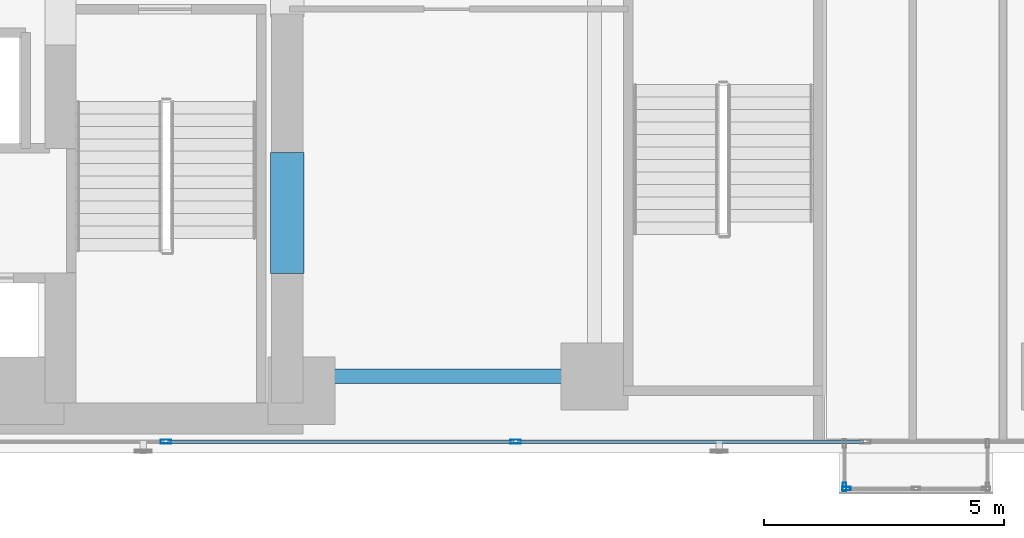
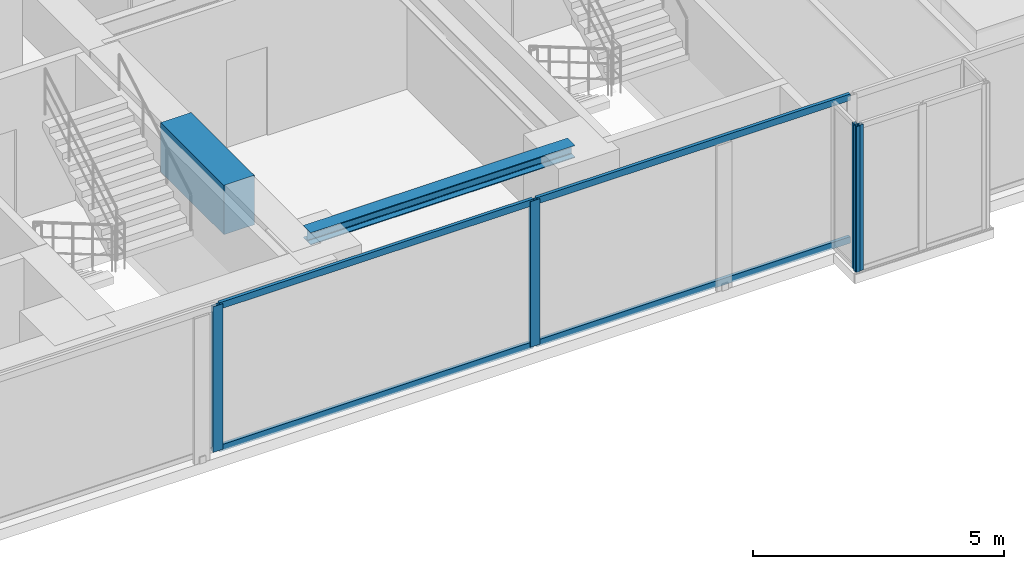
# One storey, part 4 of 26: 8 members, 2 beams, 3 elements without a shape of their own.
"""IFC4 building model written with IfcOpenShell, lengths in metres."""

from ifc_helpers import new_model, si_unit, direction, frame, origin, origin_with_axes, origin_2d, place, context, subcontext, project, spatial, rectangle, hollow_rectangle, i_section, extrude, source, transform, mapped, material, layer, layer_set, material_profile, profile_set, type_object, element, aggregate, save


model = new_model("IFC4")

# Units and contexts
model_context = context("Model", 3, precision=1e-05, world=origin(), true_north=direction((0.0, 1.0)))
body_context = subcontext(model_context, "Body", "Model", "MODEL_VIEW")
ifc_project = project(units=[si_unit("LENGTHUNIT", "METRE"), si_unit("AREAUNIT", "SQUARE_METRE"), si_unit("VOLUMEUNIT", "CUBIC_METRE"), si_unit("PLANEANGLEUNIT", "RADIAN"), si_unit("MASSUNIT", "GRAM", prefix="KILO")], contexts=[model_context])

# Site, building, storey
site_placement = place(None, origin())
site = spatial("IfcSite", under=ifc_project, at=site_placement, CompositionType="ELEMENT")
building_placement = place(site_placement, origin())
building = spatial("IfcBuilding", under=site, at=building_placement, Name="Kolvaren Waterfront Exchange", CompositionType="ELEMENT")
storey_placement = place(building_placement, frame((0.0, 0.0, 99.300048828125)))
storey = spatial("IfcBuildingStorey", under=building, at=storey_placement, Name="L25", CompositionType="ELEMENT", Elevation=99.300048828125)

# Beams
ifc_material_1 = material(Name="Steel S355", Category="steel")
ifc_material_profile_1 = material_profile(ifc_material_1, i_section(OverallWidth=0.300048828125, OverallDepth=0.300048828125, WebThickness=0.010986328125, FlangeThickness=0.01904296875, FilletRadius=0.027099609375, at=origin_2d()), Name="HEB300")
ifc_profile_set_1 = profile_set([ifc_material_profile_1], Name="Steel S355")
beam_type_1 = type_object("IfcBeamType", Name="STR-BM-HEB300", PredefinedType="SPANDREL", material=ifc_profile_set_1)
beam_1_placement = place(storey_placement, frame((21.125, 5.199951171875, 3.389892578125), z_axis=(1.0, 0.0, 0.0), x_axis=(0.0, 1.0, 0.0)))
element("IfcBeam", 1, at=beam_1_placement, inside=storey, type_object=beam_type_1, Name="L25 east-arm spandrel S1", PredefinedType="SPANDREL", context=body_context, shape_type="SweptSolid", body=[
    extrude(i_section(OverallWidth=0.300048828125, OverallDepth=0.300048828125, WebThickness=0.010986328125, FlangeThickness=0.01904296875, FilletRadius=0.027099609375, at=origin_2d()), origin(), (0.0, 0.0, 1.0), 6.074951171875),
])
ifc_material_2 = material(Name="Concrete C70/85", Category="concrete")
ifc_material_profile_2 = material_profile(ifc_material_2, rectangle(XDim=0.699951171875, YDim=1.199951171875, at=origin_2d()), Name="RC-CB-1200x700")
ifc_profile_set_2 = profile_set([ifc_material_profile_2], Name="Concrete C70/85")
beam_type_2 = type_object("IfcBeamType", Name="STR-CB-1200", PredefinedType="SPANDREL", material=ifc_profile_set_2)
beam_2_placement = place(storey_placement, frame((20.800048828125, 7.340087890625, 2.93994140625), z_axis=(0.0, 1.0, 0.0), x_axis=(-1.0, 0.0, 0.0)))
element("IfcBeam", 2, at=beam_2_placement, inside=storey, type_object=beam_type_2, Name="L25 core coupling beam 1", PredefinedType="SPANDREL", context=body_context, shape_type="SweptSolid", body=[
    extrude(rectangle(XDim=0.699951171875, YDim=1.199951171875, at=origin_2d()), origin(), (0.0, 0.0, 1.0), 2.52001953125),
])

# Curtain wall, member
ifc_material_3 = material(Name="Anodised bronze aluminium 6063-T6", Category="aluminium")
ifc_layer_1 = layer(ifc_material_3, 0.219970703125, Name="Anodised bronze aluminium 6063-T6")
ifc_layer_set_1 = layer_set([ifc_layer_1], Name="Anodised bronze aluminium 6063-T6")
curtain_wall_type_1 = type_object("IfcCurtainWallType", Name="ARC-CW-SYS3", PredefinedType="USERDEFINED", material=ifc_layer_set_1)
curtain_wall_1_placement = place(storey_placement, origin())
curtain_wall_1 = element("IfcCurtainWall", 3, at=curtain_wall_1_placement, inside=storey, type_object=curtain_wall_type_1, Name="L25 stick curtain wall CW3 (CW-L25-BOX-W)", ObjectType="STICK CURTAIN WALL", PredefinedType="USERDEFINED")
ifc_material_profile_3 = material_profile(ifc_material_3, hollow_rectangle(XDim=0.074951171875, YDim=0.179931640625, WallThickness=0.00439453125, at=origin_2d()), Name="ALU-MUL-180x75x4.5")
ifc_profile_set_3 = profile_set([ifc_material_profile_3], Name="Anodised bronze aluminium 6063-T6")
member_type_1 = type_object("IfcMemberType", Name="ARC-CWM-180", PredefinedType="MULLION", material=ifc_profile_set_3)
shared_shape_1 = source(origin_with_axes(), body_context, "Body", "SweptSolid", [
    extrude(hollow_rectangle(XDim=0.074951171875, YDim=0.179931640625, WallThickness=0.00439453125, at=origin_2d()), origin(), (0.0, 0.0, 1.0), 3.5400390625),
])
member_1_placement = place(storey_placement, frame((32.409912109375, 2.8974609375, 0.0), z_axis=(0.0, 0.0, 1.0), x_axis=(1.0, 0.0, 0.0)))
member_1 = element("IfcMember", 4, at=member_1_placement, type_object=member_type_1, Name="CW3 mullion 2", PredefinedType="MULLION", context=body_context, shape_type="MappedRepresentation", body=[
    mapped(shared_shape_1, transform((0.0, 0.0, 0.0), x_axis=(1.0, 0.0, 0.0), y_axis=(0.0, 1.0, 0.0), z_axis=(0.0, 0.0, 1.0), scale=1.0)),
])
aggregate(curtain_wall_1, [member_1])

curtain_wall_2_placement = place(storey_placement, origin())
curtain_wall_2 = element("IfcCurtainWall", 5, at=curtain_wall_2_placement, inside=storey, type_object=curtain_wall_type_1, Name="L25 stick curtain wall CW3 (CW-L25-BOX)", ObjectType="STICK CURTAIN WALL", PredefinedType="USERDEFINED")
member_2_placement = place(storey_placement, frame((32.447509765625, 2.860107421875, 0.0), z_axis=(0.0, 0.0, 1.0), x_axis=(0.0, 1.0, 0.0)))
member_2 = element("IfcMember", 6, at=member_2_placement, type_object=member_type_1, Name="CW3 mullion 1", PredefinedType="MULLION", context=body_context, shape_type="MappedRepresentation", body=[
    mapped(shared_shape_1, transform((0.0, 0.0, 0.0), x_axis=(1.0, 0.0, 0.0), y_axis=(0.0, 1.0, 0.0), z_axis=(0.0, 0.0, 1.0), scale=1.0)),
])
aggregate(curtain_wall_2, [member_2])

# Curtain wall, members
ifc_layer_2 = layer(ifc_material_3, 0.219970703125, Name="Anodised bronze aluminium 6063-T6")
ifc_layer_set_2 = layer_set([ifc_layer_2], Name="Anodised bronze aluminium 6063-T6")
curtain_wall_type_2 = type_object("IfcCurtainWallType", Name="ARC-CW-SYS1", PredefinedType="USERDEFINED", material=ifc_layer_set_2)
curtain_wall_3_placement = place(storey_placement, origin())
curtain_wall_3 = element("IfcCurtainWall", 7, at=curtain_wall_3_placement, inside=storey, type_object=curtain_wall_type_2, Name="L25 stick curtain wall CW1 (CW-L25-S)", ObjectType="STICK CURTAIN WALL", PredefinedType="USERDEFINED")
ifc_material_4 = material(Name="Anodised aluminium 6063-T6", Category="aluminium")
ifc_material_profile_4 = material_profile(ifc_material_4, hollow_rectangle(XDim=0.080078125, YDim=0.219970703125, WallThickness=0.0048828125, at=origin_2d()), Name="ALU-MUL-220x80x5")
ifc_profile_set_4 = profile_set([ifc_material_profile_4], Name="Anodised aluminium 6063-T6")
member_type_2 = type_object("IfcMemberType", Name="ARC-CWM-220", PredefinedType="MULLION", material=ifc_profile_set_4)
shared_shape_2 = source(origin_with_axes(), body_context, "Body", "SweptSolid", [
    extrude(hollow_rectangle(XDim=0.080078125, YDim=0.219970703125, WallThickness=0.0048828125, at=origin_2d()), origin(), (0.0, 0.0, 1.0), 3.5400390625),
])
member_3_placement = place(storey_placement, frame((18.271484375, 3.840087890625, 0.0), z_axis=(0.0, 0.0, 1.0), x_axis=(0.0, 1.0, 0.0)))
member_3 = element("IfcMember", 8, at=member_3_placement, type_object=member_type_2, Name="CW1 mullion 3", PredefinedType="MULLION", context=body_context, shape_type="MappedRepresentation", body=[
    mapped(shared_shape_2, transform((0.0, 0.0, 0.0), x_axis=(1.0, 0.0, 0.0), y_axis=(0.0, 1.0, 0.0), z_axis=(0.0, 0.0, 1.0), scale=1.0)),
])
member_4_placement = place(storey_placement, frame((25.55712890625, 3.840087890625, 0.0), z_axis=(0.0, 0.0, 1.0), x_axis=(0.0, 1.0, 0.0)))
member_4 = element("IfcMember", 9, at=member_4_placement, type_object=member_type_2, Name="CW1 mullion 4", PredefinedType="MULLION", context=body_context, shape_type="MappedRepresentation", body=[
    mapped(shared_shape_2, transform((0.0, 0.0, 0.0), x_axis=(1.0, 0.0, 0.0), y_axis=(0.0, 1.0, 0.0), z_axis=(0.0, 0.0, 1.0), scale=1.0)),
])
ifc_material_profile_5 = material_profile(ifc_material_4, hollow_rectangle(XDim=0.074951171875, YDim=0.159912109375, WallThickness=0.00439453125, at=origin_2d()), Name="ALU-TRN-160x75x4.5")
ifc_profile_set_5 = profile_set([ifc_material_profile_5], Name="Anodised aluminium 6063-T6")
member_type_3 = type_object("IfcMemberType", Name="ARC-CWT-160", PredefinedType="USERDEFINED", material=ifc_profile_set_5)
shared_shape_3 = source(origin_with_axes(), body_context, "Body", "SweptSolid", [
    extrude(hollow_rectangle(XDim=0.074951171875, YDim=0.159912109375, WallThickness=0.00439453125, at=origin_2d()), origin(), (0.0, 0.0, 1.0), 7.205810546875),
])
member_5_placement = place(storey_placement, frame((25.59716796875, 3.840087890625, 0.037353515625), z_axis=(1.0, 0.0, 0.0), x_axis=(0.0, 1.0, 0.0)))
member_5 = element("IfcMember", 10, at=member_5_placement, type_object=member_type_3, Name="CW1 transom 4.1", ObjectType="TRANSOM", PredefinedType="USERDEFINED", context=body_context, shape_type="MappedRepresentation", body=[
    mapped(shared_shape_3, transform((0.0, 0.0, 0.0), x_axis=(1.0, 0.0, 0.0), y_axis=(0.0, 1.0, 0.0), z_axis=(0.0, 0.0, 1.0), scale=1.0)),
])
member_6_placement = place(storey_placement, frame((25.59716796875, 3.840087890625, 3.50244140625), z_axis=(1.0, 0.0, 0.0), x_axis=(0.0, 1.0, 0.0)))
member_6 = element("IfcMember", 11, at=member_6_placement, type_object=member_type_3, Name="CW1 transom 4.2", ObjectType="TRANSOM", PredefinedType="USERDEFINED", context=body_context, shape_type="MappedRepresentation", body=[
    mapped(shared_shape_3, transform((0.0, 0.0, 0.0), x_axis=(1.0, 0.0, 0.0), y_axis=(0.0, 1.0, 0.0), z_axis=(0.0, 0.0, 1.0), scale=1.0)),
])
shared_shape_4 = source(origin_with_axes(), body_context, "Body", "SweptSolid", [
    extrude(hollow_rectangle(XDim=0.074951171875, YDim=0.159912109375, WallThickness=0.00439453125, at=origin_2d()), origin(), (0.0, 0.0, 1.0), 7.20556640625),
])
member_7_placement = place(storey_placement, frame((18.3115234375, 3.840087890625, 0.037353515625), z_axis=(1.0, 0.0, 0.0), x_axis=(0.0, 1.0, 0.0)))
member_7 = element("IfcMember", 12, at=member_7_placement, type_object=member_type_3, Name="CW1 transom 3.1", ObjectType="TRANSOM", PredefinedType="USERDEFINED", context=body_context, shape_type="MappedRepresentation", body=[
    mapped(shared_shape_4, transform((0.0, 0.0, 0.0), x_axis=(1.0, 0.0, 0.0), y_axis=(0.0, 1.0, 0.0), z_axis=(0.0, 0.0, 1.0), scale=1.0)),
])
member_8_placement = place(storey_placement, frame((18.3115234375, 3.840087890625, 3.50244140625), z_axis=(1.0, 0.0, 0.0), x_axis=(0.0, 1.0, 0.0)))
member_8 = element("IfcMember", 13, at=member_8_placement, type_object=member_type_3, Name="CW1 transom 3.2", ObjectType="TRANSOM", PredefinedType="USERDEFINED", context=body_context, shape_type="MappedRepresentation", body=[
    mapped(shared_shape_4, transform((0.0, 0.0, 0.0), x_axis=(1.0, 0.0, 0.0), y_axis=(0.0, 1.0, 0.0), z_axis=(0.0, 0.0, 1.0), scale=1.0)),
])
aggregate(curtain_wall_3, [member_3, member_4, member_7, member_8, member_5, member_6])

save(model, "model.ifc")
